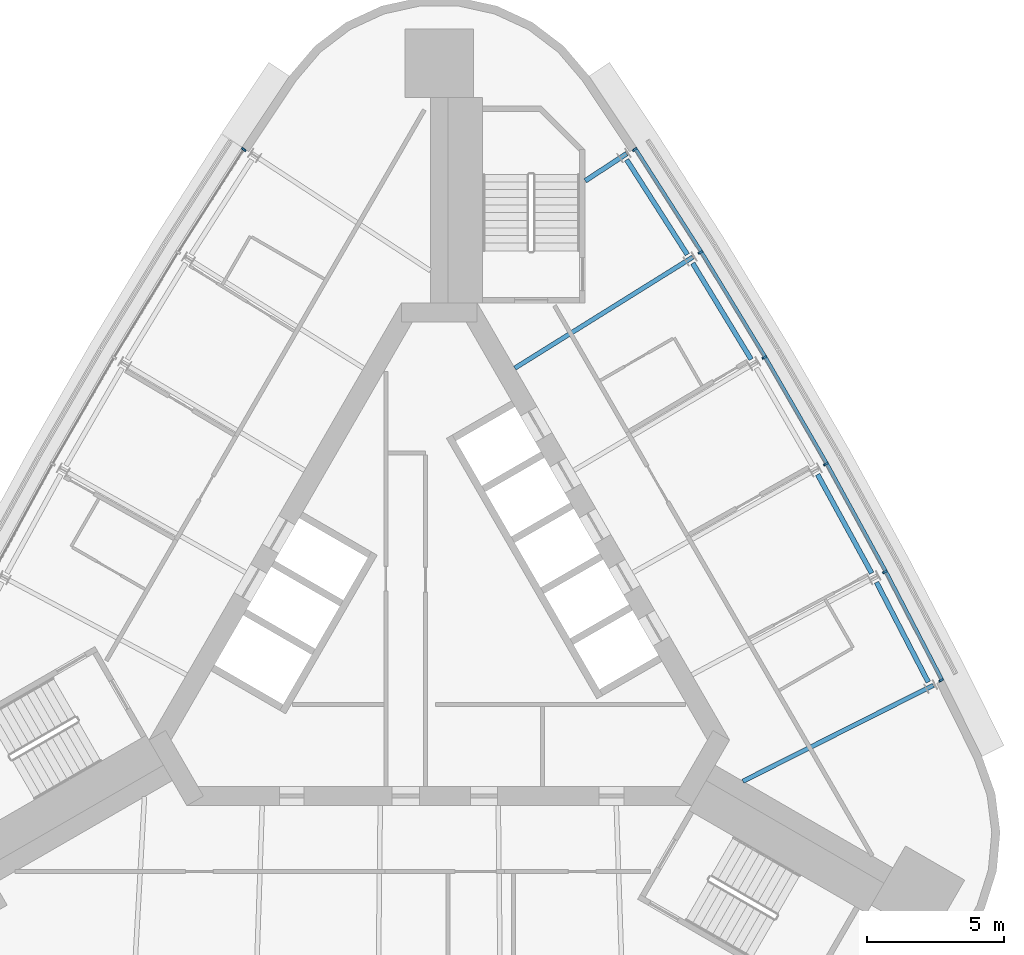
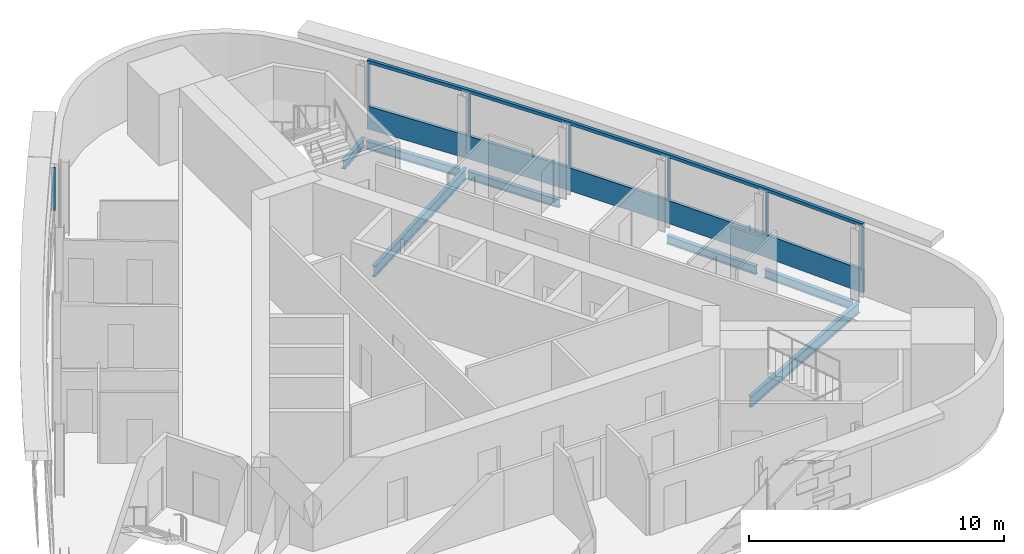
# One storey, part 4 of 9: 9 members, 7 beams, 2 elements without a shape of their own.
"""IFC4 building model written with IfcOpenShell, lengths in metres."""

import ifcopenshell
import ifcopenshell.guid

model = None  # the IFC model being written
_history = None  # IfcOwnerHistory: only IFC2X3 demands one
_inside = {}  # id of a spatial element -> (the spatial element, [elements in it])
_under = {}  # id of a project, library or spatial element -> (it, [spatial elements below it])
_declared = {}  # id of a project -> (the project, [libraries it declares])
_typed = {}  # id of a type object -> (the type object, [elements of that type])
_made_of = {}  # id of a material, layer set ... -> (it, [elements and type objects made of it])


def new_model(schema):
    """Start an empty IFC model of exactly this schema.

    Asked for "IFC4X3", IfcOpenShell would pick the latest addendum, in which some entities
    have other attributes; the version numbers below select the first issue.
    IFC2X3 requires an IfcOwnerHistory on every rooted entity: one is made here for all.
    """
    global model, _history
    if schema == "IFC4X3":
        model = ifcopenshell.file(schema_version=(4, 3, 0, 0))
    else:
        model = ifcopenshell.file(schema=schema)
    _inside.clear()
    _under.clear()
    _declared.clear()
    _typed.clear()
    _made_of.clear()
    _history = None
    if model.schema == "IFC2X3":
        org = make("IfcOrganization", Name="unknown")
        user = make(
            "IfcPersonAndOrganization",
            ThePerson=make("IfcPerson", FamilyName="unknown"),
            TheOrganization=org,
        )
        app = make(
            "IfcApplication",
            ApplicationDeveloper=org,
            Version="unknown",
            ApplicationFullName="unknown",
            ApplicationIdentifier="unknown",
        )
        _history = make(
            "IfcOwnerHistory",
            OwningUser=user,
            OwningApplication=app,
            ChangeAction="ADDED",
            CreationDate=0,
        )
    return model


def make(cls, **values):
    """One entity of the class cls with the attributes given. An attribute that is None is left unset."""
    return model.create_entity(
        cls, **{name: value for name, value in values.items() if value is not None}
    )


def rooted(cls, **values):
    """An entity with a GlobalId (a new one), such as an element, a storey or a relation."""
    return make(cls, GlobalId=ifcopenshell.guid.new(), OwnerHistory=_history, **values)


def si_unit(unit_type, name, prefix=None):
    """IfcSIUnit, for example si_unit("LENGTHUNIT", "METRE", prefix="MILLI")."""
    return make("IfcSIUnit", UnitType=unit_type, Prefix=prefix, Name=name)


def assignment(units):
    """IfcUnitAssignment: the units of a project."""
    return None if units is None else make("IfcUnitAssignment", Units=units)


def point(xyz):
    """IfcCartesianPoint."""
    return None if xyz is None else make("IfcCartesianPoint", Coordinates=xyz)


def direction(xyz):
    """IfcDirection."""
    return None if xyz is None else make("IfcDirection", DirectionRatios=xyz)


def frame(location, z_axis=None, x_axis=None):
    """IfcAxis2Placement3D, a coordinate frame: its origin and axes. An axis left out is left unset."""
    return make(
        "IfcAxis2Placement3D",
        Location=point(location),
        Axis=direction(z_axis),
        RefDirection=direction(x_axis),
    )


def frame_2d(location, x_axis=None):
    """IfcAxis2Placement2D, a coordinate frame in the plane: its origin and x axis."""
    return make(
        "IfcAxis2Placement2D", Location=point(location), RefDirection=direction(x_axis)
    )


def origin():
    """The frame at (0, 0, 0) with its axes left unset."""
    return frame((0.0, 0.0, 0.0))


def origin_2d():
    """The frame at (0, 0) in the plane with its x axis left unset."""
    return frame_2d((0.0, 0.0))


def place(relative_to, where):
    """IfcLocalPlacement: puts the frame where relative to a parent placement (None: the world)."""
    return make(
        "IfcLocalPlacement", PlacementRelTo=relative_to, RelativePlacement=where
    )


def context(
    kind, dimensions, precision=None, world=None, true_north=None, identifier=None
):
    """IfcGeometricRepresentationContext, for example the 3D "Model" context."""
    return make(
        "IfcGeometricRepresentationContext",
        ContextIdentifier=identifier,
        ContextType=kind,
        CoordinateSpaceDimension=dimensions,
        Precision=precision,
        WorldCoordinateSystem=world,
        TrueNorth=true_north,
    )


def subcontext(parent, identifier, kind, view, scale=None):
    """IfcGeometricRepresentationSubContext, for example "Body" below "Model"."""
    return make(
        "IfcGeometricRepresentationSubContext",
        ContextIdentifier=identifier,
        ContextType=kind,
        ParentContext=parent,
        TargetScale=scale,
        TargetView=view,
    )


def project(units=None, contexts=None):
    """IfcProject with its units and contexts."""
    return rooted(
        "IfcProject",
        Name="project",
        RepresentationContexts=contexts,
        UnitsInContext=assignment(units),
    )


def spatial(cls, under=None, at=None, **own):
    """A site, building, storey or space (cls), placed at a placement, below another one or the project."""
    s = rooted(cls, ObjectPlacement=at, **own)
    if under is not None:
        _under.setdefault(under.id(), (under, []))[1].append(s)
    return s


def polyline(points):
    """IfcPolyline through the points."""
    return make("IfcPolyline", Points=[point(p) for p in points])


def profile(cls, at=None, kind="AREA", **sizes):
    """A parametric profile (cls). Its sizes go by their IFC names, for example OverallWidth=200.0."""
    return make(cls, ProfileType=kind, Position=at, **sizes)


def rectangle(**sizes):
    """IfcRectangleProfileDef."""
    return profile("IfcRectangleProfileDef", **sizes)


def i_section(**sizes):
    """IfcIShapeProfileDef."""
    return profile("IfcIShapeProfileDef", **sizes)


def outline(outer, holes=None, kind="AREA"):
    """IfcArbitraryClosedProfileDef: a profile drawn as a closed curve; with holes, ...WithVoids."""
    if holes is None:
        return make("IfcArbitraryClosedProfileDef", ProfileType=kind, OuterCurve=outer)
    return make(
        "IfcArbitraryProfileDefWithVoids",
        ProfileType=kind,
        OuterCurve=outer,
        InnerCurves=holes,
    )


def extrude(swept, where, along, depth):
    """IfcExtrudedAreaSolid: the profile swept, set in the frame where, extruded along a direction by depth."""
    return make(
        "IfcExtrudedAreaSolid",
        SweptArea=swept,
        Position=where,
        ExtrudedDirection=direction(along),
        Depth=depth,
    )


def shape(context_of_items, identifier, shape_type, items):
    """IfcShapeRepresentation: the items that make up one representation, for example the "Body"."""
    return make(
        "IfcShapeRepresentation",
        ContextOfItems=context_of_items,
        RepresentationIdentifier=identifier,
        RepresentationType=shape_type,
        Items=items,
    )


def material(Name=None, Category=None):
    """IfcMaterial."""
    return make("IfcMaterial", Name=Name, Category=Category)


def material_profile(
    of_material, cross_section, Name=None, Category=None, Priority=None
):
    """IfcMaterialProfile: a cross section and its material."""
    return make(
        "IfcMaterialProfile",
        Name=Name,
        Material=of_material,
        Profile=cross_section,
        Priority=Priority,
        Category=Category,
    )


def profile_set(profiles, Name=None, composite=None):
    """IfcMaterialProfileSet."""
    return make(
        "IfcMaterialProfileSet",
        Name=Name,
        MaterialProfiles=profiles,
        CompositeProfile=composite,
    )


def made_of(thing, what):
    """Note that an element or type object is made of a material, layer set ...; save() writes the relation."""
    if what is not None:
        _made_of.setdefault(what.id(), (what, []))[1].append(thing)
    return thing


def type_object(cls, material=None, **own):
    """A type object (cls), such as IfcWallType, which elements share."""
    return made_of(rooted(cls, **own), material)


def element(
    cls,
    number,
    at=None,
    inside=None,
    cuts=None,
    type_object=None,
    material=None,
    context=None,
    identifier="Body",
    shape_type=None,
    held_by="IfcProductDefinitionShape",
    body=None,
    shapes=None,
    **own,
):
    """One element of the class cls, such as IfcWall. Its Tag is "e" and its number.

    at: its placement. inside: the storey or other place that contains it. cuts: it is an
    opening in that element (IfcRelVoidsElement). A single representation is given by context,
    identifier, shape_type and body (its items); several are given by shapes. held_by: the class
    of the entity that holds the representations. save() writes the other relations.
    """
    e = rooted(cls, Tag="e%d" % number, ObjectPlacement=at, **own)
    if body is not None:
        shapes = [shape(context, identifier, shape_type, body)]
    if shapes is not None:
        e.Representation = make(held_by, Representations=shapes)
    if inside is not None:
        _inside.setdefault(inside.id(), (inside, []))[1].append(e)
    if cuts is not None:
        rooted(
            "IfcRelVoidsElement", RelatingBuildingElement=cuts, RelatedOpeningElement=e
        )
    if type_object is not None:
        _typed.setdefault(type_object.id(), (type_object, []))[1].append(e)
    return made_of(e, material)


def aggregate(whole, parts):
    """IfcRelAggregates: a whole, such as a stair, and the parts it consists of."""
    return rooted("IfcRelAggregates", RelatingObject=whole, RelatedObjects=parts)


def save(model, path):
    """Write the relations noted so far, then the file.

    IfcRelAggregates (storeys below a building ...), IfcRelContainedInSpatialStructure (elements
    in a storey), IfcRelDefinesByType, IfcRelAssociatesMaterial and IfcRelDeclares: one each for
    every whole, place, type object, material and project.
    """
    for whole, parts in _under.values():
        aggregate(whole, parts)
    for where, things in _inside.values():
        rooted(
            "IfcRelContainedInSpatialStructure",
            RelatedElements=things,
            RelatingStructure=where,
        )
    for kind, things in _typed.values():
        rooted("IfcRelDefinesByType", RelatedObjects=things, RelatingType=kind)
    for what, things in _made_of.values():
        rooted("IfcRelAssociatesMaterial", RelatedObjects=things, RelatingMaterial=what)
    for by, libraries in _declared.values():
        rooted("IfcRelDeclares", RelatingContext=by, RelatedDefinitions=libraries)
    model.write(path)


model = new_model("IFC4")

# Units and contexts
model_context = context("Model", 3, precision=1e-05, world=origin(), true_north=direction((0.0, 1.0)))
body_context = subcontext(model_context, "Body", "Model", "MODEL_VIEW")
ifc_project = project(units=[si_unit("LENGTHUNIT", "METRE"), si_unit("AREAUNIT", "SQUARE_METRE"), si_unit("VOLUMEUNIT", "CUBIC_METRE"), si_unit("PLANEANGLEUNIT", "RADIAN"), si_unit("MASSUNIT", "GRAM", prefix="KILO")], contexts=[model_context])

# Site, building, storey
site_placement = place(None, origin())
site = spatial("IfcSite", under=ifc_project, at=site_placement, CompositionType="ELEMENT")
building_placement = place(site_placement, origin())
building = spatial("IfcBuilding", under=site, at=building_placement, Name="Noor Cloister Tower", CompositionType="ELEMENT")
storey_placement = place(building_placement, frame((0.0, 0.0, 236.39990234375)))
storey = spatial("IfcBuildingStorey", under=building, at=storey_placement, Name="L61", CompositionType="ELEMENT", Elevation=236.39990234375)

# Curtain wall, member
ifc_material_1 = material(Name="Aluminium 6063-T6 anodised", Category="aluminium")
curtain_wall_type = type_object("IfcCurtainWallType", Name="Ribbon curtain wall, upper tower CW5", PredefinedType="NOTDEFINED", material=ifc_material_1)
curtain_wall_1_placement = place(storey_placement, origin())
curtain_wall_1 = element("IfcCurtainWall", 1, at=curtain_wall_1_placement, inside=storey, type_object=curtain_wall_type, Name="CW5 L61 NE run 3", PredefinedType="NOTDEFINED")
ifc_material_2 = material(Name="Aluminium 6063-T6 anodised", Category="aluminium")
member_type_1 = type_object("IfcMemberType", Name="Head transom CW5 150", PredefinedType="USERDEFINED", material=ifc_material_2)
member_1_placement = place(storey_placement, frame((0.0, 0.0, 3.150146484375)))
member_1 = element("IfcMember", 2, at=member_1_placement, type_object=member_type_1, Name="CW5 head transom", ObjectType="TRANSOM", PredefinedType="USERDEFINED", context=body_context, shape_type="SweptSolid", body=[
    extrude(outline(polyline([(18.45654296875, -2.32763671875), (16.385498046875, 1.66748046875), (14.224365234375, 5.6142578125), (11.974365234375, 9.511474609375), (9.63671875, 13.3564453125), (7.212646484375, 17.147705078125), (7.0947265625, 17.072265625), (9.517822265625, 13.282470703125), (11.853759765625, 9.43994140625), (14.102294921875, 5.545654296875), (16.26171875, 1.6015625), (18.332275390625, -2.39208984375), (18.45654296875, -2.32763671875)])), origin(), (0.0, 0.0, 1.0), 0.14990234375),
])

curtain_wall_2_placement = place(storey_placement, origin())
curtain_wall_2 = element("IfcCurtainWall", 3, at=curtain_wall_2_placement, inside=storey, type_object=curtain_wall_type, Name="CW5 L61 NW run 1", PredefinedType="NOTDEFINED")
ifc_material_3 = material(Name="Aluminium 6063-T6 anodised", Category="aluminium")
ifc_material_profile_1 = material_profile(ifc_material_3, rectangle(XDim=0.179931640625, YDim=0.070068359375, at=origin_2d()), Name="180 x 70 mullion")
ifc_profile_set_1 = profile_set([ifc_material_profile_1], Name="Aluminium 6063-T6 anodised")
member_type_2 = type_object("IfcMemberType", Name="Mullion CW5 70 x 180", PredefinedType="MULLION", material=ifc_profile_set_1)
member_2_placement = place(storey_placement, frame((-7.147216796875, 17.064208984375, 1.10009765625), z_axis=(0.0, 0.0, 1.0), x_axis=(0.842494145237, -0.538705499547, 0.0)))
member_2 = element("IfcMember", 4, at=member_2_placement, type_object=member_type_2, Name="CW5 mullion 1", PredefinedType="MULLION", context=body_context, shape_type="SweptSolid", body=[
    extrude(rectangle(XDim=0.179931640625, YDim=0.070068359375, at=origin_2d()), origin(), (0.0, 0.0, 1.0), 2.050048828125),
])
aggregate(curtain_wall_2, [member_2])

# Member
member_3_placement = place(storey_placement, frame((18.3515625, -2.342529296875, 1.10009765625), z_axis=(0.0, 0.0, 1.0), x_axis=(-0.887779720384, -0.460268582541, 0.0)))
member_3 = element("IfcMember", 5, at=member_3_placement, type_object=member_type_2, Name="CW5 mullion 1", PredefinedType="MULLION", context=body_context, shape_type="SweptSolid", body=[
    extrude(rectangle(XDim=0.179931640625, YDim=0.070068359375, at=origin_2d()), origin(), (0.0, 0.0, 1.0), 2.050048828125),
])

member_4_placement = place(storey_placement, frame((16.297119140625, 1.620361328125, 1.10009765625), z_axis=(0.0, 0.0, 1.0), x_axis=(-0.882510233786, -0.470293192874, 0.0)))
member_4 = element("IfcMember", 6, at=member_4_placement, type_object=member_type_2, Name="CW5 mullion 2", PredefinedType="MULLION", context=body_context, shape_type="SweptSolid", body=[
    extrude(rectangle(XDim=0.179931640625, YDim=0.070068359375, at=origin_2d()), origin(), (0.0, 0.0, 1.0), 2.050048828125),
])

member_5_placement = place(storey_placement, frame((14.13720703125, 5.5654296875, 1.10009765625), z_axis=(0.0, 0.0, 1.0), x_axis=(-0.871632377887, -0.490160175676, 0.0)))
member_5 = element("IfcMember", 7, at=member_5_placement, type_object=member_type_2, Name="CW5 mullion 3", PredefinedType="MULLION", context=body_context, shape_type="SweptSolid", body=[
    extrude(rectangle(XDim=0.179931640625, YDim=0.070068359375, at=origin_2d()), origin(), (0.0, 0.0, 1.0), 2.050048828125),
])

member_6_placement = place(storey_placement, frame((11.88818359375, 9.46044921875, 1.10009765625), z_axis=(0.0, 0.0, 1.0), x_axis=(-0.860307353002, -0.509775694174, 0.0)))
member_6 = element("IfcMember", 8, at=member_6_placement, type_object=member_type_2, Name="CW5 mullion 4", PredefinedType="MULLION", context=body_context, shape_type="SweptSolid", body=[
    extrude(rectangle(XDim=0.179931640625, YDim=0.070068359375, at=origin_2d()), origin(), (0.0, 0.0, 1.0), 2.050048828125),
])

member_7_placement = place(storey_placement, frame((9.5517578125, 13.303466796875, 1.10009765625), z_axis=(0.0, 0.0, 1.0), x_axis=(-0.848540969148, -0.529129685121, 0.0)))
member_7 = element("IfcMember", 9, at=member_7_placement, type_object=member_type_2, Name="CW5 mullion 5", PredefinedType="MULLION", context=body_context, shape_type="SweptSolid", body=[
    extrude(rectangle(XDim=0.179931640625, YDim=0.070068359375, at=origin_2d()), origin(), (0.0, 0.0, 1.0), 2.050048828125),
])

member_8_placement = place(storey_placement, frame((7.147216796875, 17.064208984375, 1.10009765625), z_axis=(0.0, 0.0, 1.0), x_axis=(-0.842494145237, -0.538705499547, 0.0)))
member_8 = element("IfcMember", 10, at=member_8_placement, type_object=member_type_2, Name="CW5 mullion 6", PredefinedType="MULLION", context=body_context, shape_type="SweptSolid", body=[
    extrude(rectangle(XDim=0.179931640625, YDim=0.070068359375, at=origin_2d()), origin(), (0.0, 0.0, 1.0), 2.050048828125),
])

# Beams
ifc_material_4 = material(Name="Steel ASTM A992 Gr 50", Category="steel")
ifc_material_profile_2 = material_profile(ifc_material_4, i_section(OverallWidth=0.177978515625, OverallDepth=0.406005859375, WebThickness=0.0078125, FlangeThickness=0.0126953125, FilletRadius=0.01025390625, at=origin_2d()), Name="W410x60")
ifc_profile_set_2 = profile_set([ifc_material_profile_2], Name="Steel ASTM A992 Gr 50")
beam_type_1 = type_object("IfcBeamType", Name="Radial beam W410x60", PredefinedType="BEAM", material=ifc_profile_set_2)
beam_1_placement = place(storey_placement, frame((6.849609375, 16.90966796875, -0.40283203125), z_axis=(-0.836320398794, -0.54824099679, 0.0), x_axis=(0.54824099679, -0.836320398794, 0.0)))
element("IfcBeam", 11, at=beam_1_placement, inside=storey, type_object=beam_type_1, Name="Radial beam NE 06 L61", PredefinedType="BEAM", context=body_context, shape_type="SweptSolid", body=[
    extrude(i_section(OverallWidth=0.177978515625, OverallDepth=0.406005859375, WebThickness=0.0078125, FlangeThickness=0.0126953125, FilletRadius=0.01025390625, at=origin_2d()), origin(), (0.0, 0.0, 1.0), 1.810302734375),
])
ifc_material_5 = material(Name="Steel ASTM A992 Gr 50", Category="steel")
ifc_material_profile_3 = material_profile(ifc_material_5, i_section(OverallWidth=0.166015625, OverallDepth=0.528076171875, WebThickness=0.009765625, FlangeThickness=0.013671875, FilletRadius=0.0126953125, at=origin_2d()), Name="W530x74")
ifc_profile_set_3 = profile_set([ifc_material_profile_3], Name="Steel ASTM A992 Gr 50")
beam_type_2 = type_object("IfcBeamType", Name="Radial beam W530x74", PredefinedType="BEAM", material=ifc_profile_set_3)
beam_2_placement = place(storey_placement, frame((18.069091796875, -2.52294921875, -0.4638671875), z_axis=(-0.892945231909, -0.450165317201, 0.0), x_axis=(0.450165317201, -0.892945231909, 0.0)))
element("IfcBeam", 12, at=beam_2_placement, inside=storey, type_object=beam_type_2, Name="Radial beam NE 01 L61", PredefinedType="BEAM", context=body_context, shape_type="SweptSolid", body=[
    extrude(i_section(OverallWidth=0.166015625, OverallDepth=0.528076171875, WebThickness=0.009765625, FlangeThickness=0.013671875, FilletRadius=0.0126953125, at=origin_2d()), origin(), (0.0, 0.0, 1.0), 7.801513671875),
])
beam_3_placement = place(storey_placement, frame((9.268310546875, 13.126953125, -0.4638671875), z_axis=(-0.848529236207, -0.529148500237, 0.0), x_axis=(0.529148500237, -0.848529236207, 0.0)))
element("IfcBeam", 13, at=beam_3_placement, inside=storey, type_object=beam_type_2, Name="Radial beam NE 05 L61", PredefinedType="BEAM", context=body_context, shape_type="SweptSolid", body=[
    extrude(i_section(OverallWidth=0.166015625, OverallDepth=0.528076171875, WebThickness=0.009765625, FlangeThickness=0.013671875, FilletRadius=0.0126953125, at=origin_2d()), origin(), (0.0, 0.0, 1.0), 7.666259765625),
])

# Member
ifc_material_6 = material(Name="Aluminium 6063-T6 anodised", Category="aluminium")
member_type_3 = type_object("IfcMemberType", Name="Sill transom CW5 1100", PredefinedType="USERDEFINED", material=ifc_material_6)
member_9_placement = place(storey_placement, origin())
member_9 = element("IfcMember", 14, at=member_9_placement, type_object=member_type_3, Name="CW5 sill transom", ObjectType="TRANSOM", PredefinedType="USERDEFINED", context=body_context, shape_type="SweptSolid", body=[
    extrude(outline(polyline([(18.45654296875, -2.32763671875), (16.385498046875, 1.66748046875), (14.224365234375, 5.6142578125), (11.974365234375, 9.511474609375), (9.63671875, 13.3564453125), (7.212646484375, 17.147705078125), (7.0947265625, 17.072265625), (9.517822265625, 13.282470703125), (11.853759765625, 9.43994140625), (14.102294921875, 5.545654296875), (16.26171875, 1.6015625), (18.332275390625, -2.39208984375), (18.45654296875, -2.32763671875)])), origin(), (0.0, 0.0, 1.0), 1.10009765625),
])

aggregate(curtain_wall_1, [member_3, member_4, member_5, member_6, member_7, member_8, member_9, member_1])

# Beams
ifc_material_7 = material(Name="Steel ASTM A992 Gr 50", Category="steel")
ifc_material_profile_4 = material_profile(ifc_material_7, i_section(OverallWidth=0.177978515625, OverallDepth=0.406005859375, WebThickness=0.0078125, FlangeThickness=0.0126953125, FilletRadius=0.01025390625, at=origin_2d()), Name="W410x60")
ifc_profile_set_4 = profile_set([ifc_material_profile_4], Name="Steel ASTM A992 Gr 50")
beam_type_3 = type_object("IfcBeamType", Name="Spandrel beam W410x60", PredefinedType="SPANDREL", material=ifc_profile_set_4)
for number, where, z_axis, x_axis, name in (
    (15, (17.879638671875, -2.40966796875, -0.40283203125), (-0.46026693686, 0.887780573584, 0.0), (-0.887780573584, -0.46026693686, 0.0), "Spandrel beam NE 01 L61"),
    (16, (15.810546875, 1.572265625, -0.40283203125), (-0.480273321949, 0.877118883746, 0.0), (-0.877118883746, -0.480273321949, 0.0), "Spandrel beam NE 02 L61"),
    (17, (11.404296875, 9.390380859375, -0.40283203125), (-0.519504501884, 0.854467712978, 0.0), (-0.854467712978, -0.519504501884, 0.0), "Spandrel beam NE 04 L61"),
    (18, (9.069580078125, 13.22265625, -0.40283203125), (-0.538728678653, 0.842479323661, 0.0), (-0.842479323661, -0.538728678653, 0.0), "Spandrel beam NE 05 L61"),
):
    element("IfcBeam", number, at=place(storey_placement, frame(where, z_axis=z_axis, x_axis=x_axis)), inside=storey, type_object=beam_type_3, Name=name, PredefinedType="SPANDREL", context=body_context, shape_type="SweptSolid", body=[
        extrude(i_section(OverallWidth=0.177978515625, OverallDepth=0.406005859375, WebThickness=0.0078125, FlangeThickness=0.0126953125, FilletRadius=0.01025390625, at=origin_2d()), origin(), (0.0, 0.0, 1.0), 4.114501953125),
    ])

save(model, "model.ifc")
